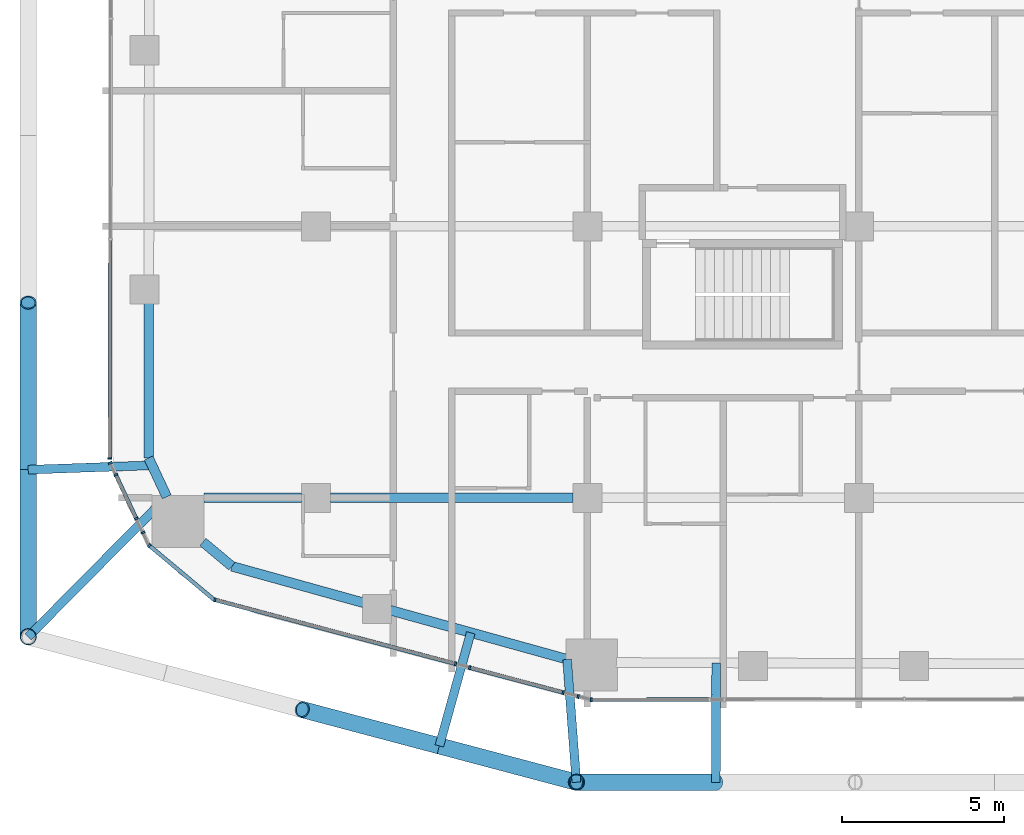
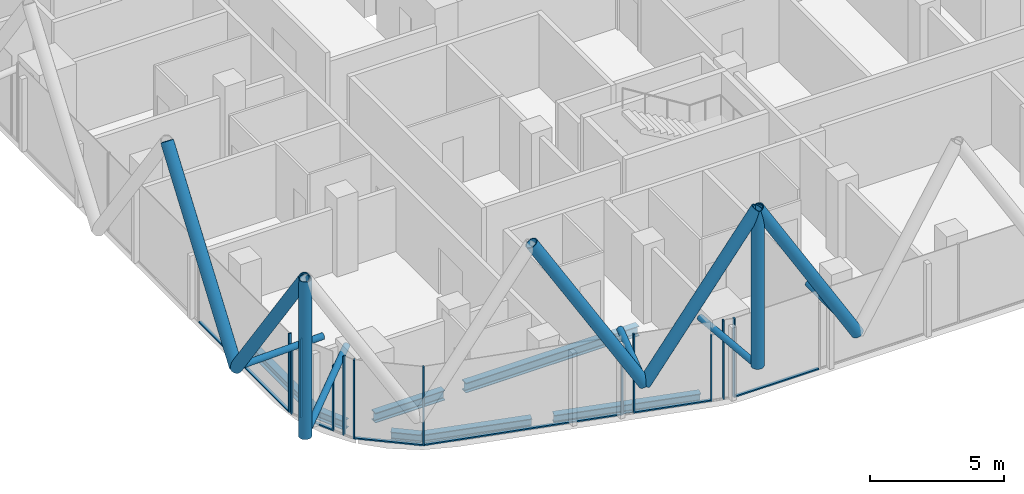
# One storey, part 2 of 36: 30 members, 7 beams, 12 elements without a shape of their own.
"""IFC4 building model written with IfcOpenShell, lengths in metres."""

from ifc_helpers import new_model, si_unit, direction, frame, origin, origin_2d, place, context, subcontext, project, spatial, rectangle, hollow_circle, i_section, extrude, material, layer, layer_set, material_profile, profile_set, type_object, element, aggregate, save


model = new_model("IFC4")

# Units and contexts
model_context = context("Model", 3, precision=1e-05, world=origin(), true_north=direction((0.0, 1.0)))
body_context = subcontext(model_context, "Body", "Model", "MODEL_VIEW")
ifc_project = project(units=[si_unit("LENGTHUNIT", "METRE"), si_unit("AREAUNIT", "SQUARE_METRE"), si_unit("VOLUMEUNIT", "CUBIC_METRE"), si_unit("PLANEANGLEUNIT", "RADIAN"), si_unit("MASSUNIT", "GRAM", prefix="KILO")], contexts=[model_context])

# Site, building, storey
site_placement = place(None, origin())
site = spatial("IfcSite", under=ifc_project, at=site_placement, CompositionType="ELEMENT")
building_placement = place(site_placement, origin())
building = spatial("IfcBuilding", under=site, at=building_placement, Name="Marenta Gate Hotel Tower", CompositionType="ELEMENT")
storey_placement = place(building_placement, frame((0.0, 0.0, 115.699951171875)))
storey = spatial("IfcBuildingStorey", under=building, at=storey_placement, Name="L25", CompositionType="ELEMENT", Elevation=115.699951171875)

# Members
ifc_material_1 = material(Name="Steel S355J2W", Category="steel")
ifc_material_profile_1 = material_profile(ifc_material_1, hollow_circle(Radius=0.25390625, WallThickness=0.02490234375, at=origin_2d()), Name="CHS 508x25")
ifc_profile_set_1 = profile_set([ifc_material_profile_1], Name="Steel S355J2W")
member_type_1 = type_object("IfcMemberType", Name="Diagrid corner post Z2 CHS 508x25", PredefinedType="POST", material=ifc_profile_set_1)
for number, where, z_axis, x_axis, name in (
    (1, (-12.93896484375, -25.60009765625, 3.14013671875), (0.0, 0.0, 1.0), (1.0, 0.0, 0.0), "L25-DR-4"),
    (2, (-29.89990234375, -21.10009765625, 3.14013671875), (0.0, 0.0, 1.0), (1.0, 0.0, 0.0), "L25-DR-5"),
):
    element("IfcMember", number, at=place(storey_placement, frame(where, z_axis=z_axis, x_axis=x_axis)), inside=storey, type_object=member_type_1, Name=name, PredefinedType="POST", context=body_context, shape_type="SweptSolid", body=[
        extrude(hollow_circle(Radius=0.25390625, WallThickness=0.02490234375, at=origin_2d()), origin(), (0.0, 0.0, 1.0), 7.199951171875),
    ])
ifc_material_2 = material(Name="Steel S355J2W", Category="steel")
ifc_material_profile_2 = material_profile(ifc_material_2, hollow_circle(Radius=0.25390625, WallThickness=0.0400390625, at=origin_2d()), Name="CHS 508x40")
ifc_profile_set_2 = profile_set([ifc_material_profile_2], Name="Steel S355J2W")
member_type_2 = type_object("IfcMemberType", Name="Diagrid diagonal Z2 CHS 508x40", PredefinedType="BRACE", material=ifc_profile_set_2)
member_1_placement = place(storey_placement, frame((-8.6259765625, -25.60009765625, 3.14013671875), z_axis=(-0.513883902774, 0.0, 0.857859740558), x_axis=(0.0, -1.0, 0.0)))
element("IfcMember", 3, at=member_1_placement, inside=storey, type_object=member_type_2, Name="L25-DG-20", PredefinedType="BRACE", context=body_context, shape_type="SweptSolid", body=[
    extrude(hollow_circle(Radius=0.25390625, WallThickness=0.0400390625, at=origin_2d()), origin(), (0.0, 0.0, 1.0), 8.392822265625),
])
for number, where, z_axis, x_axis, name in (
    (4, (-17.17919921875, -24.47509765625, 3.14013671875), (0.502924018666, -0.133433548941, 0.853968921838), (0.256443187528, 0.96655930577, 0.0), "L25-DG-21"),
    (5, (-17.17919921875, -24.47509765625, 3.14013671875), (-0.502924018666, 0.133433548941, 0.853968921838), (-0.256443187528, -0.96655930577, 0.0), "L25-DG-22"),
):
    element("IfcMember", number, at=place(storey_placement, frame(where, z_axis=z_axis, x_axis=x_axis)), inside=storey, type_object=member_type_2, Name=name, PredefinedType="BRACE", context=body_context, shape_type="SweptSolid", body=[
        extrude(hollow_circle(Radius=0.25390625, WallThickness=0.0400390625, at=origin_2d()), origin(), (0.0, 0.0, 1.0), 8.43115234375),
    ])
member_2_placement = place(storey_placement, frame((-29.89990234375, -15.93017578125, 3.14013671875), z_axis=(0.0, -0.583260841117, 0.812284919975), x_axis=(1.0, 0.0, 0.0)))
element("IfcMember", 6, at=member_2_placement, inside=storey, type_object=member_type_2, Name="L25-DG-25", PredefinedType="BRACE", context=body_context, shape_type="SweptSolid", body=[
    extrude(hollow_circle(Radius=0.25390625, WallThickness=0.0400390625, at=origin_2d()), origin(), (0.0, 0.0, 1.0), 8.86376953125),
])
member_3_placement = place(storey_placement, frame((-29.89990234375, -15.93017578125, 3.14013671875), z_axis=(0.0, 0.583279014058, 0.812271870595), x_axis=(-1.0, 0.0, 0.0)))
element("IfcMember", 7, at=member_3_placement, inside=storey, type_object=member_type_2, Name="L25-DG-26", PredefinedType="BRACE", context=body_context, shape_type="SweptSolid", body=[
    extrude(hollow_circle(Radius=0.25390625, WallThickness=0.0400390625, at=origin_2d()), origin(), (0.0, 0.0, 1.0), 8.864013671875),
])

# Beams
ifc_material_3 = material(Name="Steel S355", Category="steel")
ifc_material_profile_3 = material_profile(ifc_material_3, i_section(OverallWidth=0.300048828125, OverallDepth=0.39990234375, WebThickness=0.013427734375, FlangeThickness=0.02392578125, FilletRadius=0.027099609375, at=origin_2d()), Name="HEB 400")
ifc_profile_set_3 = profile_set([ifc_material_profile_3], Name="Steel S355")
beam_type_1 = type_object("IfcBeamType", Name="Edge beam HEB 400", PredefinedType="SPANDREL", material=ifc_profile_set_3)
beam_1_placement = place(storey_placement, frame((-13.227783203125, -21.794677734375, -0.4599609375), z_axis=(-0.963615860477, 0.267290990189, 0.0), x_axis=(-0.267290990189, -0.963615860477, 0.0)))
element("IfcBeam", 8, at=beam_1_placement, inside=storey, type_object=beam_type_1, Name="L25-EB-1", PredefinedType="SPANDREL", context=body_context, shape_type="SweptSolid", body=[
    extrude(i_section(OverallWidth=0.300048828125, OverallDepth=0.39990234375, WebThickness=0.013427734375, FlangeThickness=0.02392578125, FilletRadius=0.027099609375, at=origin_2d()), origin(), (0.0, 0.0, 1.0), 5.674072265625),
])
beam_2_placement = place(storey_placement, frame((-19.518310546875, -20.0498046875, -0.4599609375), z_axis=(-0.963630213062, 0.267239242016, 0.0), x_axis=(-0.267239242016, -0.963630213062, 0.0)))
element("IfcBeam", 9, at=beam_2_placement, inside=storey, type_object=beam_type_1, Name="L25-EB-2", PredefinedType="SPANDREL", context=body_context, shape_type="SweptSolid", body=[
    extrude(i_section(OverallWidth=0.300048828125, OverallDepth=0.39990234375, WebThickness=0.013427734375, FlangeThickness=0.02392578125, FilletRadius=0.027099609375, at=origin_2d()), origin(), (0.0, 0.0, 1.0), 4.232666015625),
])
beam_3_placement = place(storey_placement, frame((-23.596923828125, -18.918701171875, -0.4599609375), z_axis=(-0.767073132856, 0.641559668972, 0.0), x_axis=(-0.641559668972, -0.767073132856, 0.0)))
element("IfcBeam", 10, at=beam_3_placement, inside=storey, type_object=beam_type_1, Name="L25-EB-3", PredefinedType="SPANDREL", context=body_context, shape_type="SweptSolid", body=[
    extrude(i_section(OverallWidth=0.300048828125, OverallDepth=0.39990234375, WebThickness=0.013427734375, FlangeThickness=0.02392578125, FilletRadius=0.027099609375, at=origin_2d()), origin(), (0.0, 0.0, 1.0), 1.1689453125),
])
beam_4_placement = place(storey_placement, frame((-25.613525390625, -16.769287109375, -0.4599609375), z_axis=(-0.423207780269, 0.906032656541, 0.0), x_axis=(-0.906032656541, -0.423207780269, 0.0)))
element("IfcBeam", 11, at=beam_4_placement, inside=storey, type_object=beam_type_1, Name="L25-EB-4", PredefinedType="SPANDREL", context=body_context, shape_type="SweptSolid", body=[
    extrude(i_section(OverallWidth=0.300048828125, OverallDepth=0.39990234375, WebThickness=0.013427734375, FlangeThickness=0.02392578125, FilletRadius=0.027099609375, at=origin_2d()), origin(), (0.0, 0.0, 1.0), 1.326904296875),
])
beam_5_placement = place(storey_placement, frame((-26.175048828125, -15.567138671875, -0.4599609375), z_axis=(0.001371810517, 0.999999059068, 0.0), x_axis=(-0.999999059068, 0.001371810517, 0.0)))
element("IfcBeam", 12, at=beam_5_placement, inside=storey, type_object=beam_type_1, Name="L25-EB-5", PredefinedType="SPANDREL", context=body_context, shape_type="SweptSolid", body=[
    extrude(i_section(OverallWidth=0.300048828125, OverallDepth=0.39990234375, WebThickness=0.013427734375, FlangeThickness=0.02392578125, FilletRadius=0.027099609375, at=origin_2d()), origin(), (0.0, 0.0, 1.0), 4.80517578125),
])

# Members
ifc_material_4 = material(Name="Steel S355J2W", Category="steel")
ifc_material_profile_4 = material_profile(ifc_material_4, hollow_circle(Radius=0.136474609375, WallThickness=0.012451171875, at=origin_2d()), Name="CHS 273x12.5")
ifc_profile_set_4 = profile_set([ifc_material_profile_4], Name="Steel S355J2W")
member_type_3 = type_object("IfcMemberType", Name="Floor tie CHS 273x12.5", PredefinedType="STRUT", material=ifc_profile_set_4)
member_4_placement = place(storey_placement, frame((-8.6259765625, -25.60009765625, 3.14013671875), z_axis=(0.003177318972, 0.999994952309, 0.0), x_axis=(-0.999994952309, 0.003177318972, 0.0)))
element("IfcMember", 13, at=member_4_placement, inside=storey, type_object=member_type_3, Name="L25-DR-15", PredefinedType="STRUT", context=body_context, shape_type="SweptSolid", body=[
    extrude(hollow_circle(Radius=0.136474609375, WallThickness=0.012451171875, at=origin_2d()), origin(), (0.0, 0.0, 1.0), 3.688232421875),
])
member_5_placement = place(storey_placement, frame((-12.93896484375, -25.60009765625, 3.14013671875), z_axis=(-0.075691735753, 0.997131265751, 0.0), x_axis=(-0.997131265751, -0.075691735753, 0.0)))
element("IfcMember", 14, at=member_5_placement, inside=storey, type_object=member_type_3, Name="L25-DR-16", PredefinedType="STRUT", context=body_context, shape_type="SweptSolid", body=[
    extrude(hollow_circle(Radius=0.136474609375, WallThickness=0.012451171875, at=origin_2d()), origin(), (0.0, 0.0, 1.0), 3.809326171875),
])
member_6_placement = place(storey_placement, frame((-17.17919921875, -24.47509765625, 3.14013671875), z_axis=(0.26723825199, 0.963630487621, 0.0), x_axis=(-0.963630487621, 0.26723825199, 0.0)))
element("IfcMember", 15, at=member_6_placement, inside=storey, type_object=member_type_3, Name="L25-DR-17", PredefinedType="STRUT", context=body_context, shape_type="SweptSolid", body=[
    extrude(hollow_circle(Radius=0.136474609375, WallThickness=0.012451171875, at=origin_2d()), origin(), (0.0, 0.0, 1.0), 3.63232421875),
])
member_7_placement = place(storey_placement, frame((-29.89990234375, -21.10009765625, 3.14013671875), z_axis=(0.703467207322, 0.710727717359, 0.0), x_axis=(-0.710727717359, 0.703467207322, 0.0)))
element("IfcMember", 16, at=member_7_placement, inside=storey, type_object=member_type_3, Name="L25-DR-18", PredefinedType="STRUT", context=body_context, shape_type="SweptSolid", body=[
    extrude(hollow_circle(Radius=0.136474609375, WallThickness=0.012451171875, at=origin_2d()), origin(), (0.0, 0.0, 1.0), 6.086181640625),
])
member_8_placement = place(storey_placement, frame((-29.89990234375, -15.93017578125, 3.14013671875), z_axis=(0.999365777603, 0.035609585179, 0.0), x_axis=(-0.035609585179, 0.999365777603, 0.0)))
element("IfcMember", 17, at=member_8_placement, inside=storey, type_object=member_type_3, Name="L25-DR-19", PredefinedType="STRUT", context=body_context, shape_type="SweptSolid", body=[
    extrude(hollow_circle(Radius=0.136474609375, WallThickness=0.012451171875, at=origin_2d()), origin(), (0.0, 0.0, 1.0), 3.82568359375),
])

# Beams
ifc_material_5 = material(Name="Steel S355", Category="steel")
ifc_material_profile_5 = material_profile(ifc_material_5, i_section(OverallWidth=0.300048828125, OverallDepth=0.449951171875, WebThickness=0.013916015625, FlangeThickness=0.02587890625, FilletRadius=0.027099609375, at=origin_2d()), Name="HEB 450")
ifc_profile_set_5 = profile_set([ifc_material_profile_5], Name="Steel S355")
beam_type_2 = type_object("IfcBeamType", Name="Girder HEB 450", PredefinedType="BEAM", material=ifc_profile_set_5)
beam_6_placement = place(storey_placement, frame((-24.462890625, -16.800048828125, -0.48486328125), z_axis=(1.0, 0.0, 0.0), x_axis=(0.0, 1.0, 0.0)))
element("IfcBeam", 18, at=beam_6_placement, inside=storey, type_object=beam_type_2, Name="L25-GD-1", PredefinedType="BEAM", context=body_context, shape_type="SweptSolid", body=[
    extrude(i_section(OverallWidth=0.300048828125, OverallDepth=0.449951171875, WebThickness=0.013916015625, FlangeThickness=0.02587890625, FilletRadius=0.027099609375, at=origin_2d()), origin(), (0.0, 0.0, 1.0), 3.012939453125),
])
beam_7_placement = place(storey_placement, frame((-20.550048828125, -16.800048828125, -0.48486328125), z_axis=(1.0, 0.0, 0.0), x_axis=(0.0, 1.0, 0.0)))
element("IfcBeam", 19, at=beam_7_placement, inside=storey, type_object=beam_type_2, Name="L25-GD-2", PredefinedType="BEAM", context=body_context, shape_type="SweptSolid", body=[
    extrude(i_section(OverallWidth=0.300048828125, OverallDepth=0.449951171875, WebThickness=0.013916015625, FlangeThickness=0.02587890625, FilletRadius=0.027099609375, at=origin_2d()), origin(), (0.0, 0.0, 1.0), 7.5),
])

# Curtain wall, member
ifc_material_6 = material(Name="Tinted insulated glass in bronze anodised frame", Category="glass")
ifc_layer = layer(ifc_material_6, 0.1201171875)
ifc_layer_set = layer_set([ifc_layer], Name="Tinted insulated glass in bronze anodised frame")
curtain_wall_type = type_object("IfcCurtainWallType", Name="Tower unitised curtain wall CW1", PredefinedType="NOTDEFINED", material=ifc_layer_set)
curtain_wall_1_placement = place(storey_placement, origin())
curtain_wall_1 = element("IfcCurtainWall", 20, at=curtain_wall_1_placement, inside=storey, type_object=curtain_wall_type, Name="CW1 run G08", PredefinedType="NOTDEFINED")
ifc_material_7 = material(Name="Bronze anodised aluminium", Category="aluminium")
ifc_material_profile_6 = material_profile(ifc_material_7, rectangle(XDim=0.1201171875, YDim=0.06005859375, at=origin_2d()), Name="Mullion CW1 60x120 bronze anodised aluminium")
ifc_profile_set_6 = profile_set([ifc_material_profile_6], Name="Bronze anodised aluminium")
member_type_4 = type_object("IfcMemberType", Name="Mullion CW1 60x120 bronze anodised aluminium", PredefinedType="MULLION", material=ifc_profile_set_6)
member_9_placement = place(storey_placement, frame((-27.372802734375, -15.58349609375, 0.0), z_axis=(0.0, 0.0, 1.0), x_axis=(0.999998775571, -0.001564882094, 0.0)))
member_9 = element("IfcMember", 21, at=member_9_placement, type_object=member_type_4, Name="CW1 mullion 4", PredefinedType="MULLION", context=body_context, shape_type="SweptSolid", body=[
    extrude(rectangle(XDim=0.1201171875, YDim=0.06005859375, at=origin_2d()), origin(), (0.0, 0.0, 1.0), 3.60009765625),
])

curtain_wall_2_placement = place(storey_placement, origin())
curtain_wall_2 = element("IfcCurtainWall", 22, at=curtain_wall_2_placement, inside=storey, type_object=curtain_wall_type, Name="CW1 run G09", PredefinedType="NOTDEFINED")
member_10_placement = place(storey_placement, frame((-27.3603515625, -15.720947265625, 0.0), z_axis=(0.0, 0.0, 1.0), x_axis=(0.905968482447, 0.423345141478, 0.0)))
member_10 = element("IfcMember", 23, at=member_10_placement, type_object=member_type_4, Name="CW1 mullion 1", PredefinedType="MULLION", context=body_context, shape_type="SweptSolid", body=[
    extrude(rectangle(XDim=0.1201171875, YDim=0.06005859375, at=origin_2d()), origin(), (0.0, 0.0, 1.0), 3.00048828125),
])
aggregate(curtain_wall_2, [member_10])

curtain_wall_3_placement = place(storey_placement, origin())
curtain_wall_3 = element("IfcCurtainWall", 24, at=curtain_wall_3_placement, inside=storey, type_object=curtain_wall_type, Name="CW1 run G10", PredefinedType="NOTDEFINED")
member_11_placement = place(storey_placement, frame((-27.18896484375, -16.087890625, 0.0), z_axis=(0.0, 0.0, 1.0), x_axis=(0.905967431983, 0.423347389488, 0.0)))
member_11 = element("IfcMember", 25, at=member_11_placement, type_object=member_type_4, Name="CW1 mullion 1", PredefinedType="MULLION", context=body_context, shape_type="SweptSolid", body=[
    extrude(rectangle(XDim=0.1201171875, YDim=0.06005859375, at=origin_2d()), origin(), (0.0, 0.0, 1.0), 3.60009765625),
])

curtain_wall_4_placement = place(storey_placement, origin())
curtain_wall_4 = element("IfcCurtainWall", 26, at=curtain_wall_4_placement, inside=storey, type_object=curtain_wall_type, Name="CW1 run G11", PredefinedType="NOTDEFINED")
member_12_placement = place(storey_placement, frame((-26.556884765625, -17.4404296875, 0.0), z_axis=(0.0, 0.0, 1.0), x_axis=(0.905960772222, 0.423361641148, 0.0)))
member_12 = element("IfcMember", 27, at=member_12_placement, type_object=member_type_4, Name="CW1 mullion 1", PredefinedType="MULLION", context=body_context, shape_type="SweptSolid", body=[
    extrude(rectangle(XDim=0.1201171875, YDim=0.06005859375, at=origin_2d()), origin(), (0.0, 0.0, 1.0), 3.00048828125),
])
aggregate(curtain_wall_4, [member_12])

curtain_wall_5_placement = place(storey_placement, origin())
curtain_wall_5 = element("IfcCurtainWall", 28, at=curtain_wall_5_placement, inside=storey, type_object=curtain_wall_type, Name="CW1 run G12", PredefinedType="NOTDEFINED")
member_13_placement = place(storey_placement, frame((-26.352294921875, -17.8779296875, 0.0), z_axis=(0.0, 0.0, 1.0), x_axis=(0.906001027936, 0.42327548639, 0.0)))
member_13 = element("IfcMember", 29, at=member_13_placement, type_object=member_type_4, Name="CW1 mullion 1", PredefinedType="MULLION", context=body_context, shape_type="SweptSolid", body=[
    extrude(rectangle(XDim=0.1201171875, YDim=0.06005859375, at=origin_2d()), origin(), (0.0, 0.0, 1.0), 3.60009765625),
])
aggregate(curtain_wall_5, [member_13])

curtain_wall_6_placement = place(storey_placement, origin())
curtain_wall_6 = element("IfcCurtainWall", 30, at=curtain_wall_6_placement, inside=storey, type_object=curtain_wall_type, Name="CW1 run G13", PredefinedType="NOTDEFINED")
member_14_placement = place(storey_placement, frame((-26.152099609375, -18.27685546875, 0.0), z_axis=(0.0, 0.0, 1.0), x_axis=(0.641512168126, 0.767112858807, 0.0)))
member_14 = element("IfcMember", 31, at=member_14_placement, type_object=member_type_4, Name="CW1 mullion 1", PredefinedType="MULLION", context=body_context, shape_type="SweptSolid", body=[
    extrude(rectangle(XDim=0.1201171875, YDim=0.06005859375, at=origin_2d()), origin(), (0.0, 0.0, 1.0), 3.60009765625),
])

curtain_wall_7_placement = place(storey_placement, origin())
curtain_wall_7 = element("IfcCurtainWall", 32, at=curtain_wall_7_placement, inside=storey, type_object=curtain_wall_type, Name="CW1 run G14", PredefinedType="NOTDEFINED")
member_15_placement = place(storey_placement, frame((-24.12451171875, -19.955810546875, 0.0), z_axis=(0.0, 0.0, 1.0), x_axis=(0.257146376841, 0.96637246488, 0.0)))
member_15 = element("IfcMember", 33, at=member_15_placement, type_object=member_type_4, Name="CW1 mullion 1", PredefinedType="MULLION", context=body_context, shape_type="SweptSolid", body=[
    extrude(rectangle(XDim=0.1201171875, YDim=0.06005859375, at=origin_2d()), origin(), (0.0, 0.0, 1.0), 3.60009765625),
])

curtain_wall_8_placement = place(storey_placement, origin())
curtain_wall_8 = element("IfcCurtainWall", 34, at=curtain_wall_8_placement, inside=storey, type_object=curtain_wall_type, Name="CW1 run G15", PredefinedType="NOTDEFINED")
member_16_placement = place(storey_placement, frame((-16.67919921875, -21.93701171875, 0.0), z_axis=(0.0, 0.0, 1.0), x_axis=(0.257154287199, 0.966370359942, 0.0)))
member_16 = element("IfcMember", 35, at=member_16_placement, type_object=member_type_4, Name="CW1 mullion 1", PredefinedType="MULLION", context=body_context, shape_type="SweptSolid", body=[
    extrude(rectangle(XDim=0.1201171875, YDim=0.06005859375, at=origin_2d()), origin(), (0.0, 0.0, 1.0), 3.00048828125),
])
aggregate(curtain_wall_8, [member_16])

curtain_wall_9_placement = place(storey_placement, origin())
curtain_wall_9 = element("IfcCurtainWall", 36, at=curtain_wall_9_placement, inside=storey, type_object=curtain_wall_type, Name="CW1 run G16", PredefinedType="NOTDEFINED")
member_17_placement = place(storey_placement, frame((-16.241455078125, -22.053466796875, 0.0), z_axis=(0.0, 0.0, 1.0), x_axis=(0.257134543351, 0.966375613628, 0.0)))
member_17 = element("IfcMember", 37, at=member_17_placement, type_object=member_type_4, Name="CW1 mullion 1", PredefinedType="MULLION", context=body_context, shape_type="SweptSolid", body=[
    extrude(rectangle(XDim=0.1201171875, YDim=0.06005859375, at=origin_2d()), origin(), (0.0, 0.0, 1.0), 3.60009765625),
])

curtain_wall_10_placement = place(storey_placement, origin())
curtain_wall_10 = element("IfcCurtainWall", 38, at=curtain_wall_10_placement, inside=storey, type_object=curtain_wall_type, Name="CW1 run G17", PredefinedType="NOTDEFINED")
member_18_placement = place(storey_placement, frame((-13.348388671875, -22.8232421875, 0.0), z_axis=(0.0, 0.0, 1.0), x_axis=(0.257026845764, 0.966404263523, 0.0)))
member_18 = element("IfcMember", 39, at=member_18_placement, type_object=member_type_4, Name="CW1 mullion 1", PredefinedType="MULLION", context=body_context, shape_type="SweptSolid", body=[
    extrude(rectangle(XDim=0.1201171875, YDim=0.06005859375, at=origin_2d()), origin(), (0.0, 0.0, 1.0), 3.00048828125),
])
aggregate(curtain_wall_10, [member_18])

curtain_wall_11_placement = place(storey_placement, origin())
curtain_wall_11 = element("IfcCurtainWall", 40, at=curtain_wall_11_placement, inside=storey, type_object=curtain_wall_type, Name="CW1 run G18", PredefinedType="NOTDEFINED")
member_19_placement = place(storey_placement, frame((-12.884765625, -22.946533203125, 0.0), z_axis=(0.0, 0.0, 1.0), x_axis=(0.257279256414, 0.966337096576, 0.0)))
member_19 = element("IfcMember", 41, at=member_19_placement, type_object=member_type_4, Name="CW1 mullion 1", PredefinedType="MULLION", context=body_context, shape_type="SweptSolid", body=[
    extrude(rectangle(XDim=0.1201171875, YDim=0.06005859375, at=origin_2d()), origin(), (0.0, 0.0, 1.0), 3.60009765625),
])
aggregate(curtain_wall_11, [member_19])

curtain_wall_12_placement = place(storey_placement, origin())
curtain_wall_12 = element("IfcCurtainWall", 42, at=curtain_wall_12_placement, inside=storey, type_object=curtain_wall_type, Name="CW1 run G19", PredefinedType="NOTDEFINED")
member_20_placement = place(storey_placement, frame((-12.475830078125, -23.04736328125, 0.0), z_axis=(0.0, 0.0, 1.0), x_axis=(-0.001365521987, 0.999999067674, 0.0)))
member_20 = element("IfcMember", 43, at=member_20_placement, type_object=member_type_4, Name="CW1 mullion 1", PredefinedType="MULLION", context=body_context, shape_type="SweptSolid", body=[
    extrude(rectangle(XDim=0.1201171875, YDim=0.06005859375, at=origin_2d()), origin(), (0.0, 0.0, 1.0), 3.60009765625),
])

# Member
ifc_material_8 = material(Name="Bronze anodised aluminium", Category="aluminium")
ifc_material_profile_7 = material_profile(ifc_material_8, rectangle(XDim=0.1201171875, YDim=0.06005859375, at=origin_2d()), Name="Transom CW1 60x120 bronze anodised aluminium")
ifc_profile_set_7 = profile_set([ifc_material_profile_7], Name="Bronze anodised aluminium")
member_type_5 = type_object("IfcMemberType", Name="Transom CW1 60x120 bronze anodised aluminium", PredefinedType="USERDEFINED", material=ifc_profile_set_7)
member_21_placement = place(storey_placement, frame((-27.3623046875, -8.8271484375, 0.030029296875), z_axis=(-0.001560739996, -0.999998782045, 0.0), x_axis=(0.999998782045, -0.001560739996, 0.0)))
member_21 = element("IfcMember", 44, at=member_21_placement, type_object=member_type_5, Name="CW1 transom 3.1", ObjectType="TRANSOM", PredefinedType="USERDEFINED", context=body_context, shape_type="SweptSolid", body=[
    extrude(rectangle(XDim=0.1201171875, YDim=0.06005859375, at=origin_2d()), origin(), (0.0, 0.0, 1.0), 6.726318359375),
])

aggregate(curtain_wall_1, [member_9, member_21])

member_22_placement = place(storey_placement, frame((-27.17626953125, -16.114990234375, 0.030029296875), z_axis=(0.423342396771, -0.905969765001, 0.0), x_axis=(0.905969765001, 0.423342396771, 0.0)))
member_22 = element("IfcMember", 45, at=member_22_placement, type_object=member_type_5, Name="CW1 transom 1.1", ObjectType="TRANSOM", PredefinedType="USERDEFINED", context=body_context, shape_type="SweptSolid", body=[
    extrude(rectangle(XDim=0.1201171875, YDim=0.06005859375, at=origin_2d()), origin(), (0.0, 0.0, 1.0), 1.43310546875),
])

aggregate(curtain_wall_3, [member_11, member_22])

member_23_placement = place(storey_placement, frame((-26.12890625, -18.296142578125, 0.030029296875), z_axis=(0.767116735682, -0.641507532175, 0.0), x_axis=(0.641507532175, 0.767116735682, 0.0)))
member_23 = element("IfcMember", 46, at=member_23_placement, type_object=member_type_5, Name="CW1 transom 1.1", ObjectType="TRANSOM", PredefinedType="USERDEFINED", context=body_context, shape_type="SweptSolid", body=[
    extrude(rectangle(XDim=0.1201171875, YDim=0.06005859375, at=origin_2d()), origin(), (0.0, 0.0, 1.0), 2.575439453125),
])

aggregate(curtain_wall_6, [member_14, member_23])

member_24_placement = place(storey_placement, frame((-24.095458984375, -19.963623046875, 0.030029296875), z_axis=(0.966376327666, -0.257131859807, 0.0), x_axis=(0.257131859807, 0.966376327666, 0.0)))
member_24 = element("IfcMember", 47, at=member_24_placement, type_object=member_type_5, Name="CW1 transom 1.1", ObjectType="TRANSOM", PredefinedType="USERDEFINED", context=body_context, shape_type="SweptSolid", body=[
    extrude(rectangle(XDim=0.1201171875, YDim=0.06005859375, at=origin_2d()), origin(), (0.0, 0.0, 1.0), 7.644287109375),
])

aggregate(curtain_wall_7, [member_15, member_24])

member_25_placement = place(storey_placement, frame((-16.21240234375, -22.061279296875, 0.030029296875), z_axis=(0.966370170989, -0.257154997275, 0.0), x_axis=(0.257154997275, 0.966370170989, 0.0)))
member_25 = element("IfcMember", 48, at=member_25_placement, type_object=member_type_5, Name="CW1 transom 1.1", ObjectType="TRANSOM", PredefinedType="USERDEFINED", context=body_context, shape_type="SweptSolid", body=[
    extrude(rectangle(XDim=0.1201171875, YDim=0.06005859375, at=origin_2d()), origin(), (0.0, 0.0, 1.0), 2.93359375),
])

aggregate(curtain_wall_9, [member_17, member_25])

member_26_placement = place(storey_placement, frame((-12.44580078125, -23.04736328125, 0.030029296875), z_axis=(0.999999080974, 0.001355747127, 0.0), x_axis=(-0.001355747127, 0.999999080974, 0.0)))
member_26 = element("IfcMember", 49, at=member_26_placement, type_object=member_type_5, Name="CW1 transom 1.1", ObjectType="TRANSOM", PredefinedType="USERDEFINED", context=body_context, shape_type="SweptSolid", body=[
    extrude(rectangle(XDim=0.1201171875, YDim=0.06005859375, at=origin_2d()), origin(), (0.0, 0.0, 1.0), 3.6015625),
])

aggregate(curtain_wall_12, [member_20, member_26])

save(model, "model.ifc")
